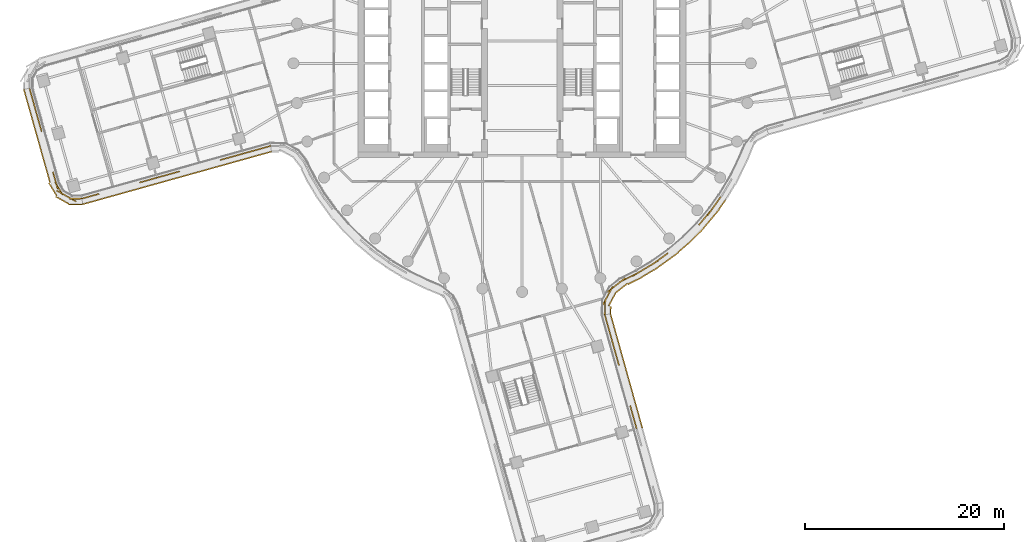
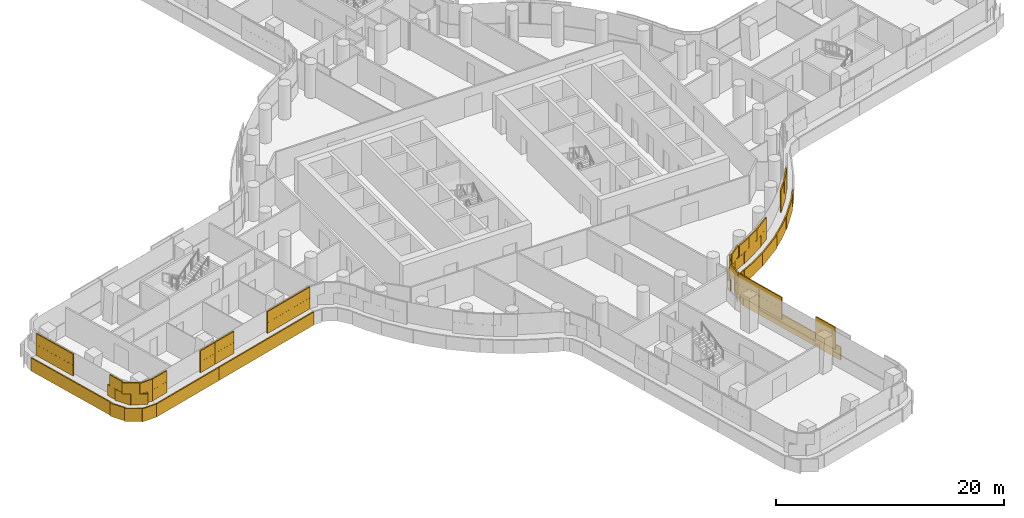
# One storey, part 25 of 30: 5 coverings.
"""IFC4 building model written with IfcOpenShell, lengths in metres."""

from ifc_helpers import new_model, si_unit, direction, frame, origin, origin_2d, place, context, subcontext, project, spatial, rectangle, extrude, material, layer, layer_set, type_object, element, save


model = new_model("IFC4")

# Units and contexts
model_context = context("Model", 3, precision=1e-05, world=origin(), true_north=direction((0.0, 1.0)))
body_context = subcontext(model_context, "Body", "Model", "MODEL_VIEW")
ifc_project = project(units=[si_unit("LENGTHUNIT", "METRE"), si_unit("AREAUNIT", "SQUARE_METRE"), si_unit("VOLUMEUNIT", "CUBIC_METRE"), si_unit("PLANEANGLEUNIT", "RADIAN"), si_unit("MASSUNIT", "GRAM", prefix="KILO")], contexts=[model_context])

# Site, building, storey
site_placement = place(None, origin())
site = spatial("IfcSite", under=ifc_project, at=site_placement, CompositionType="ELEMENT")
building_placement = place(site_placement, origin())
building = spatial("IfcBuilding", under=site, at=building_placement, Name="Tamarind Cross Interchange Tower", CompositionType="ELEMENT")
storey_placement = place(building_placement, frame((0.0, 0.0, 91.0)))
storey = spatial("IfcBuildingStorey", under=building, at=storey_placement, Name="L21", CompositionType="ELEMENT", Elevation=91.0)

# Coverings
ifc_material = material(Name="Terracotta", Category="masonry")
ifc_layer = layer(ifc_material, 0.1201171875)
ifc_layer_set = layer_set([ifc_layer], Name="Terracotta")
covering_type = type_object("IfcCoveringType", Name="Terracotta baguette screen unit", PredefinedType="MOLDING", material=ifc_layer_set)
covering_1_placement = place(storey_placement, origin())
element("IfcCovering", 1, at=covering_1_placement, inside=storey, type_object=covering_type, Name="SCR-L21-01-01", PredefinedType="MOLDING", context=body_context, shape_type="SweptSolid", body=[
    extrude(rectangle(XDim=0.447021484375, YDim=0.1201171875, at=origin_2d()), frame((11.454345703125, -36.54052734375, 1.404052734375), z_axis=(0.0, 0.0, 1.0), x_axis=(-0.26883067316, 0.963187452767, 0.0)), (0.0, 0.0, 1.0), 1.1669921875),
    extrude(rectangle(XDim=1.52001953125, YDim=0.1201171875, at=origin_2d()), frame((11.194091796875, -35.607666015625, 1.404052734375), z_axis=(0.0, 0.0, 1.0), x_axis=(-0.26883067316, 0.963187452767, 0.0)), (0.0, 0.0, 1.0), 1.1669921875),
    extrude(rectangle(XDim=0.47265625, YDim=0.1201171875, at=origin_2d()), frame((10.930419921875, -34.662353515625, 1.404052734375), z_axis=(0.0, 0.0, 1.0), x_axis=(-0.26883067316, 0.963187452767, 0.0)), (0.0, 0.0, 1.0), 1.1669921875),
    extrude(rectangle(XDim=1.347412109375, YDim=0.1201171875, at=origin_2d()), frame((9.559326171875, -29.750244140625, 1.404052734375), z_axis=(0.0, 0.0, 1.0), x_axis=(-0.26883067316, 0.963187452767, 0.0)), (0.0, 0.0, 1.0), 1.1669921875),
    extrude(rectangle(XDim=1.52001953125, YDim=0.1201171875, at=origin_2d()), frame((9.177978515625, -28.3837890625, 1.404052734375), z_axis=(0.0, 0.0, 1.0), x_axis=(-0.26883067316, 0.963187452767, 0.0)), (0.0, 0.0, 1.0), 1.1669921875),
    extrude(rectangle(XDim=1.52001953125, YDim=0.1201171875, at=origin_2d()), frame((8.774658203125, -26.93896484375, 1.404052734375), z_axis=(0.0, 0.0, 1.0), x_axis=(-0.26883067316, 0.963187452767, 0.0)), (0.0, 0.0, 1.0), 1.1669921875),
    extrude(rectangle(XDim=0.9814453125, YDim=0.1201171875, at=origin_2d()), frame((8.4423828125, -25.74853515625, 1.404052734375), z_axis=(0.0, 0.0, 1.0), x_axis=(-0.26883067316, 0.963187452767, 0.0)), (0.0, 0.0, 1.0), 1.1669921875),
    extrude(rectangle(XDim=1.197021484375, YDim=0.1201171875, at=origin_2d()), frame((11.353759765625, -36.17919921875, 2.5791015625), z_axis=(0.0, 0.0, 1.0), x_axis=(-0.26883067316, 0.963187452767, 0.0)), (0.0, 0.0, 1.0), 1.1669921875),
    extrude(rectangle(XDim=1.22265625, YDim=0.1201171875, at=origin_2d()), frame((11.031005859375, -35.023681640625, 2.5791015625), z_axis=(0.0, 0.0, 1.0), x_axis=(-0.26883067316, 0.963187452767, 0.0)), (0.0, 0.0, 1.0), 1.1669921875),
    extrude(rectangle(XDim=0.597412109375, YDim=0.1201171875, at=origin_2d()), frame((9.66015625, -30.111328125, 2.5791015625), z_axis=(0.0, 0.0, 1.0), x_axis=(-0.26883067316, 0.963187452767, 0.0)), (0.0, 0.0, 1.0), 1.1669921875),
    extrude(rectangle(XDim=1.52001953125, YDim=0.1201171875, at=origin_2d()), frame((9.37939453125, -29.10595703125, 2.5791015625), z_axis=(0.0, 0.0, 1.0), x_axis=(-0.26883067316, 0.963187452767, 0.0)), (0.0, 0.0, 1.0), 1.1669921875),
    extrude(rectangle(XDim=1.52001953125, YDim=0.1201171875, at=origin_2d()), frame((8.976318359375, -27.661376953125, 2.5791015625), z_axis=(0.0, 0.0, 1.0), x_axis=(-0.26883067316, 0.963187452767, 0.0)), (0.0, 0.0, 1.0), 1.1669921875),
    extrude(rectangle(XDim=1.52001953125, YDim=0.1201171875, at=origin_2d()), frame((8.572998046875, -26.216552734375, 2.5791015625), z_axis=(0.0, 0.0, 1.0), x_axis=(-0.26883067316, 0.963187452767, 0.0)), (0.0, 0.0, 1.0), 1.1669921875),
    extrude(rectangle(XDim=0.2314453125, YDim=0.1201171875, at=origin_2d()), frame((8.341552734375, -25.387451171875, 2.5791015625), z_axis=(0.0, 0.0, 1.0), x_axis=(-0.26883067316, 0.963187452767, 0.0)), (0.0, 0.0, 1.0), 1.1669921875),
    extrude(rectangle(XDim=0.45166015625, YDim=0.1201171875, at=origin_2d()), frame((12.02685546875, -36.4560546875, 0.00390625), z_axis=(0.0, 0.0, 1.0), x_axis=(-0.26883067316, 0.963187452767, 0.0)), (0.0, 0.0, 1.0), 1.39208984375),
    extrude(rectangle(XDim=1.52001953125, YDim=0.1201171875, at=origin_2d()), frame((11.76708984375, -35.525634765625, 0.00390625), z_axis=(0.0, 0.0, 1.0), x_axis=(-0.26883067316, 0.963187452767, 0.0)), (0.0, 0.0, 1.0), 1.39208984375),
    extrude(rectangle(XDim=1.52001953125, YDim=0.1201171875, at=origin_2d()), frame((11.364013671875, -34.080810546875, 0.00390625), z_axis=(0.0, 0.0, 1.0), x_axis=(-0.26883067316, 0.963187452767, 0.0)), (0.0, 0.0, 1.0), 1.39208984375),
    extrude(rectangle(XDim=1.52001953125, YDim=0.1201171875, at=origin_2d()), frame((10.960693359375, -32.63623046875, 0.00390625), z_axis=(0.0, 0.0, 1.0), x_axis=(-0.26883067316, 0.963187452767, 0.0)), (0.0, 0.0, 1.0), 1.39208984375),
    extrude(rectangle(XDim=1.52001953125, YDim=0.1201171875, at=origin_2d()), frame((10.557373046875, -31.19140625, 0.00390625), z_axis=(0.0, 0.0, 1.0), x_axis=(-0.26883067316, 0.963187452767, 0.0)), (0.0, 0.0, 1.0), 1.39208984375),
    extrude(rectangle(XDim=1.52001953125, YDim=0.1201171875, at=origin_2d()), frame((10.154296875, -29.74658203125, 0.00390625), z_axis=(0.0, 0.0, 1.0), x_axis=(-0.26883067316, 0.963187452767, 0.0)), (0.0, 0.0, 1.0), 1.39208984375),
    extrude(rectangle(XDim=1.52001953125, YDim=0.1201171875, at=origin_2d()), frame((9.7509765625, -28.3017578125, 0.00390625), z_axis=(0.0, 0.0, 1.0), x_axis=(-0.26883067316, 0.963187452767, 0.0)), (0.0, 0.0, 1.0), 1.39208984375),
    extrude(rectangle(XDim=1.52001953125, YDim=0.1201171875, at=origin_2d()), frame((9.34765625, -26.85693359375, 0.00390625), z_axis=(0.0, 0.0, 1.0), x_axis=(-0.26883067316, 0.963187452767, 0.0)), (0.0, 0.0, 1.0), 1.39208984375),
    extrude(rectangle(XDim=0.9697265625, YDim=0.1201171875, at=origin_2d()), frame((9.018310546875, -25.67724609375, 0.00390625), z_axis=(0.0, 0.0, 1.0), x_axis=(-0.26883067316, 0.963187452767, 0.0)), (0.0, 0.0, 1.0), 1.39208984375),
])
covering_2_placement = place(storey_placement, origin())
element("IfcCovering", 2, at=covering_2_placement, inside=storey, type_object=covering_type, Name="SCR-L21-02-00", PredefinedType="MOLDING", context=body_context, shape_type="SweptSolid", body=[
    extrude(rectangle(XDim=0.760009765625, YDim=0.1201171875, at=origin_2d()), frame((8.322509765625, -24.90576171875, 1.404052734375), z_axis=(0.0, 0.0, 1.0), x_axis=(0.028695501065, 0.999588199319, 0.0)), (0.0, 0.0, 1.0), 1.1669921875),
    extrude(rectangle(XDim=1.52001953125, YDim=0.1201171875, at=origin_2d()), frame((8.3828125, -23.788818359375, 1.404052734375), z_axis=(0.0, 0.0, 1.0), x_axis=(0.477648952184, 0.878550783095, 0.0)), (0.0, 0.0, 1.0), 1.1669921875),
    extrude(rectangle(XDim=1.52001953125, YDim=0.1201171875, at=origin_2d()), frame((9.175048828125, -22.53515625, 1.404052734375), z_axis=(0.0, 0.0, 1.0), x_axis=(0.786825557048, 0.617175455423, 0.0)), (0.0, 0.0, 1.0), 1.1669921875),
    extrude(rectangle(XDim=1.52001953125, YDim=0.1201171875, at=origin_2d()), frame((10.411865234375, -21.698974609375, 1.404052734375), z_axis=(0.0, 0.0, 1.0), x_axis=(0.896294206941, 0.443459913186, 0.0)), (0.0, 0.0, 1.0), 1.1669921875),
    extrude(rectangle(XDim=1.52001953125, YDim=0.1201171875, at=origin_2d()), frame((11.747314453125, -21.017578125, 1.404052734375), z_axis=(0.0, 0.0, 1.0), x_axis=(0.856843065292, 0.515577308909, 0.0)), (0.0, 0.0, 1.0), 1.1669921875),
    extrude(rectangle(XDim=1.52001953125, YDim=0.1201171875, at=origin_2d()), frame((13.03271484375, -20.244140625, 1.404052734375), z_axis=(0.0, 0.0, 1.0), x_axis=(0.856843065292, 0.515577308909, 0.0)), (0.0, 0.0, 1.0), 1.1669921875),
    extrude(rectangle(XDim=1.26220703125, YDim=0.1201171875, at=origin_2d()), frame((14.1611328125, -19.4580078125, 1.404052734375), z_axis=(0.0, 0.0, 1.0), x_axis=(0.811340475102, 0.584573890505, 0.0)), (0.0, 0.0, 1.0), 1.1669921875),
    extrude(rectangle(XDim=0.5576171875, YDim=0.1201171875, at=origin_2d()), frame((17.94384765625, -16.05419921875, 1.404052734375), z_axis=(0.0, 0.0, 1.0), x_axis=(0.643009266048, 0.765858396687, 0.0)), (0.0, 0.0, 1.0), 1.1669921875),
    extrude(rectangle(XDim=1.52001953125, YDim=0.1201171875, at=origin_2d()), frame((18.60205078125, -15.27001953125, 1.404052734375), z_axis=(0.0, 0.0, 1.0), x_axis=(0.643009266048, 0.765858396687, 0.0)), (0.0, 0.0, 1.0), 1.1669921875),
    extrude(rectangle(XDim=1.52001953125, YDim=0.1201171875, at=origin_2d()), frame((19.51611328125, -14.08251953125, 1.404052734375), z_axis=(0.0, 0.0, 1.0), x_axis=(0.577568978284, 0.816341886298, 0.0)), (0.0, 0.0, 1.0), 1.1669921875),
    extrude(rectangle(XDim=0.068603515625, YDim=0.1201171875, at=origin_2d()), frame((19.96630859375, -13.4462890625, 1.404052734375), z_axis=(0.0, 0.0, 1.0), x_axis=(0.577568978284, 0.816341886298, 0.0)), (0.0, 0.0, 1.0), 1.1669921875),
    extrude(rectangle(XDim=1.510009765625, YDim=0.1201171875, at=origin_2d()), frame((8.333251953125, -24.531005859375, 2.5791015625), z_axis=(0.0, 0.0, 1.0), x_axis=(0.028695501065, 0.999588199319, 0.0)), (0.0, 0.0, 1.0), 1.1669921875),
    extrude(rectangle(XDim=1.52001953125, YDim=0.1201171875, at=origin_2d()), frame((8.740966796875, -23.1298828125, 2.5791015625), z_axis=(0.0, 0.0, 1.0), x_axis=(0.477648952184, 0.878550783095, 0.0)), (0.0, 0.0, 1.0), 1.1669921875),
    extrude(rectangle(XDim=1.52001953125, YDim=0.1201171875, at=origin_2d()), frame((9.76513671875, -22.072265625, 2.5791015625), z_axis=(0.0, 0.0, 1.0), x_axis=(0.786825557048, 0.617175455423, 0.0)), (0.0, 0.0, 1.0), 1.1669921875),
    extrude(rectangle(XDim=1.52001953125, YDim=0.1201171875, at=origin_2d()), frame((11.083984375, -21.366455078125, 2.5791015625), z_axis=(0.0, 0.0, 1.0), x_axis=(0.896294206941, 0.443459913186, 0.0)), (0.0, 0.0, 1.0), 1.1669921875),
    extrude(rectangle(XDim=1.52001953125, YDim=0.1201171875, at=origin_2d()), frame((12.389892578125, -20.630859375, 2.5791015625), z_axis=(0.0, 0.0, 1.0), x_axis=(0.856843065292, 0.515577308909, 0.0)), (0.0, 0.0, 1.0), 1.1669921875),
    extrude(rectangle(XDim=1.52001953125, YDim=0.1201171875, at=origin_2d()), frame((13.6533203125, -19.82421875, 2.5791015625), z_axis=(0.0, 0.0, 1.0), x_axis=(0.811340475102, 0.584573890505, 0.0)), (0.0, 0.0, 1.0), 1.1669921875),
    extrude(rectangle(XDim=0.51220703125, YDim=0.1201171875, at=origin_2d()), frame((14.465576171875, -19.239013671875, 2.5791015625), z_axis=(0.0, 0.0, 1.0), x_axis=(0.811340475102, 0.584573890505, 0.0)), (0.0, 0.0, 1.0), 1.1669921875),
    extrude(rectangle(XDim=1.3076171875, YDim=0.1201171875, at=origin_2d()), frame((18.18505859375, -15.76708984375, 2.5791015625), z_axis=(0.0, 0.0, 1.0), x_axis=(0.643009266048, 0.765858396687, 0.0)), (0.0, 0.0, 1.0), 1.1669921875),
    extrude(rectangle(XDim=1.52001953125, YDim=0.1201171875, at=origin_2d()), frame((19.0830078125, -14.694580078125, 2.5791015625), z_axis=(0.0, 0.0, 1.0), x_axis=(0.577568978284, 0.816341886298, 0.0)), (0.0, 0.0, 1.0), 1.1669921875),
    extrude(rectangle(XDim=0.818603515625, YDim=0.1201171875, at=origin_2d()), frame((19.749755859375, -13.75244140625, 2.5791015625), z_axis=(0.0, 0.0, 1.0), x_axis=(0.577568978284, 0.816341886298, 0.0)), (0.0, 0.0, 1.0), 1.1669921875),
    extrude(rectangle(XDim=0.760009765625, YDim=0.1201171875, at=origin_2d()), frame((8.89892578125, -24.830322265625, 0.00390625), z_axis=(0.0, 0.0, 1.0), x_axis=(0.028695501065, 0.999588199319, 0.0)), (0.0, 0.0, 1.0), 1.39208984375),
    extrude(rectangle(XDim=1.52001953125, YDim=0.1201171875, at=origin_2d()), frame((9.0595703125, -23.74560546875, 0.00390625), z_axis=(0.0, 0.0, 1.0), x_axis=(0.477648952184, 0.878550783095, 0.0)), (0.0, 0.0, 1.0), 1.39208984375),
    extrude(rectangle(XDim=1.52001953125, YDim=0.1201171875, at=origin_2d()), frame((10.00048828125, -22.6171875, 0.00390625), z_axis=(0.0, 0.0, 1.0), x_axis=(0.786825557048, 0.617175455423, 0.0)), (0.0, 0.0, 1.0), 1.39208984375),
    extrude(rectangle(XDim=1.52001953125, YDim=0.1201171875, at=origin_2d()), frame((11.30908203125, -21.8955078125, 0.00390625), z_axis=(0.0, 0.0, 1.0), x_axis=(0.896294206941, 0.443459913186, 0.0)), (0.0, 0.0, 1.0), 1.39208984375),
    extrude(rectangle(XDim=1.52001953125, YDim=0.1201171875, at=origin_2d()), frame((12.617431640625, -21.1640625, 0.00390625), z_axis=(0.0, 0.0, 1.0), x_axis=(0.856843065292, 0.515577308909, 0.0)), (0.0, 0.0, 1.0), 1.39208984375),
    extrude(rectangle(XDim=1.52001953125, YDim=0.1201171875, at=origin_2d()), frame((13.88525390625, -20.364501953125, 0.00390625), z_axis=(0.0, 0.0, 1.0), x_axis=(0.811340475102, 0.584573890505, 0.0)), (0.0, 0.0, 1.0), 1.39208984375),
    extrude(rectangle(XDim=1.52001953125, YDim=0.1201171875, at=origin_2d()), frame((15.102294921875, -19.487548828125, 0.00390625), z_axis=(0.0, 0.0, 1.0), x_axis=(0.811340475102, 0.584573890505, 0.0)), (0.0, 0.0, 1.0), 1.39208984375),
    extrude(rectangle(XDim=1.52001953125, YDim=0.1201171875, at=origin_2d()), frame((16.250732421875, -18.5234375, 0.00390625), z_axis=(0.0, 0.0, 1.0), x_axis=(0.760295606781, 0.64957723968, 0.0)), (0.0, 0.0, 1.0), 1.39208984375),
    extrude(rectangle(XDim=1.52001953125, YDim=0.1201171875, at=origin_2d()), frame((17.345947265625, -17.50048828125, 0.00390625), z_axis=(0.0, 0.0, 1.0), x_axis=(0.704057148523, 0.710143317658, 0.0)), (0.0, 0.0, 1.0), 1.39208984375),
    extrude(rectangle(XDim=1.52001953125, YDim=0.1201171875, at=origin_2d()), frame((18.385986328125, -16.42041015625, 0.00390625), z_axis=(0.0, 0.0, 1.0), x_axis=(0.643009266048, 0.765858396687, 0.0)), (0.0, 0.0, 1.0), 1.39208984375),
    extrude(rectangle(XDim=1.52001953125, YDim=0.1201171875, at=origin_2d()), frame((19.350341796875, -15.271484375, 0.00390625), z_axis=(0.0, 0.0, 1.0), x_axis=(0.643009266048, 0.765858396687, 0.0)), (0.0, 0.0, 1.0), 1.39208984375),
    extrude(rectangle(XDim=1.14990234375, YDim=0.1201171875, at=origin_2d()), frame((20.127685546875, -14.2119140625, 0.00390625), z_axis=(0.0, 0.0, 1.0), x_axis=(0.577568978284, 0.816341886298, 0.0)), (0.0, 0.0, 1.0), 1.39208984375),
])
covering_3_placement = place(storey_placement, origin())
element("IfcCovering", 3, at=covering_3_placement, inside=storey, type_object=covering_type, Name="SCR-L21-12-00", PredefinedType="MOLDING", context=body_context, shape_type="SweptSolid", body=[
    extrude(rectangle(XDim=0.760009765625, YDim=0.1201171875, at=origin_2d()), frame((-49.44482421875, -2.884033203125, 1.404052734375), z_axis=(0.0, 0.0, 1.0), x_axis=(0.270129953744, -0.962823871791, 0.0)), (0.0, 0.0, 1.0), 1.1669921875),
    extrude(rectangle(XDim=1.52001953125, YDim=0.1201171875, at=origin_2d()), frame((-49.140869140625, -3.96728515625, 1.404052734375), z_axis=(0.0, 0.0, 1.0), x_axis=(0.270129953744, -0.962823871791, 0.0)), (0.0, 0.0, 1.0), 1.1669921875),
    extrude(rectangle(XDim=1.52001953125, YDim=0.1201171875, at=origin_2d()), frame((-48.73583984375, -5.411376953125, 1.404052734375), z_axis=(0.0, 0.0, 1.0), x_axis=(0.270129953744, -0.962823871791, 0.0)), (0.0, 0.0, 1.0), 1.1669921875),
    extrude(rectangle(XDim=0.784912109375, YDim=0.1201171875, at=origin_2d()), frame((-48.428466796875, -6.506591796875, 1.404052734375), z_axis=(0.0, 0.0, 1.0), x_axis=(0.270129953744, -0.962823871791, 0.0)), (0.0, 0.0, 1.0), 1.1669921875),
    extrude(rectangle(XDim=1.03515625, YDim=0.1201171875, at=origin_2d()), frame((-47.05078125, -11.4169921875, 1.404052734375), z_axis=(0.0, 0.0, 1.0), x_axis=(0.270129953744, -0.962823871791, 0.0)), (0.0, 0.0, 1.0), 1.1669921875),
    extrude(rectangle(XDim=1.52001953125, YDim=0.1201171875, at=origin_2d()), frame((-46.595458984375, -12.583740234375, 1.404052734375), z_axis=(0.0, 0.0, 1.0), x_axis=(0.510122653874, -0.860101667249, 0.0)), (0.0, 0.0, 1.0), 1.1669921875),
    extrude(rectangle(XDim=1.52001953125, YDim=0.1201171875, at=origin_2d()), frame((-45.5029296875, -13.538818359375, 1.404052734375), z_axis=(0.0, 0.0, 1.0), x_axis=(0.871830010925, -0.489808566738, 0.0)), (0.0, 0.0, 1.0), 1.1669921875),
    extrude(rectangle(XDim=0.509521484375, YDim=0.1201171875, at=origin_2d()), frame((-44.526123046875, -13.616455078125, 1.404052734375), z_axis=(0.0, 0.0, 1.0), x_axis=(0.999931220612, 0.011728343677, 0.0)), (0.0, 0.0, 1.0), 1.1669921875),
    extrude(rectangle(XDim=1.510009765625, YDim=0.1201171875, at=origin_2d()), frame((-49.343505859375, -3.2451171875, 2.5791015625), z_axis=(0.0, 0.0, 1.0), x_axis=(0.270129953744, -0.962823871791, 0.0)), (0.0, 0.0, 1.0), 1.1669921875),
    extrude(rectangle(XDim=1.52001953125, YDim=0.1201171875, at=origin_2d()), frame((-48.9384765625, -4.689453125, 2.5791015625), z_axis=(0.0, 0.0, 1.0), x_axis=(0.270129953744, -0.962823871791, 0.0)), (0.0, 0.0, 1.0), 1.1669921875),
    extrude(rectangle(XDim=1.52001953125, YDim=0.1201171875, at=origin_2d()), frame((-48.533203125, -6.133544921875, 2.5791015625), z_axis=(0.0, 0.0, 1.0), x_axis=(0.270129953744, -0.962823871791, 0.0)), (0.0, 0.0, 1.0), 1.1669921875),
    extrude(rectangle(XDim=1.52001953125, YDim=0.1201171875, at=origin_2d()), frame((-46.912353515625, -11.91064453125, 2.5791015625), z_axis=(0.0, 0.0, 1.0), x_axis=(0.270129953744, -0.962823871791, 0.0)), (0.0, 0.0, 1.0), 1.1669921875),
    extrude(rectangle(XDim=1.52001953125, YDim=0.1201171875, at=origin_2d()), frame((-46.15673828125, -13.17138671875, 2.5791015625), z_axis=(0.0, 0.0, 1.0), x_axis=(0.871830010925, -0.489808566738, 0.0)), (0.0, 0.0, 1.0), 1.1669921875),
    extrude(rectangle(XDim=1.259521484375, YDim=0.1201171875, at=origin_2d()), frame((-44.901123046875, -13.620849609375, 2.5791015625), z_axis=(0.0, 0.0, 1.0), x_axis=(0.999931220612, 0.011728343677, 0.0)), (0.0, 0.0, 1.0), 1.1669921875),
    extrude(rectangle(XDim=0.760009765625, YDim=0.1201171875, at=origin_2d()), frame((-50.0166015625, -2.97119140625, 0.00390625), z_axis=(0.0, 0.0, 1.0), x_axis=(0.270129953744, -0.962823871791, 0.0)), (0.0, 0.0, 1.0), 1.39208984375),
    extrude(rectangle(XDim=1.52001953125, YDim=0.1201171875, at=origin_2d()), frame((-49.714111328125, -4.049560546875, 0.00390625), z_axis=(0.0, 0.0, 1.0), x_axis=(0.270129953744, -0.962823871791, 0.0)), (0.0, 0.0, 1.0), 1.39208984375),
    extrude(rectangle(XDim=1.52001953125, YDim=0.1201171875, at=origin_2d()), frame((-49.308837890625, -5.49365234375, 0.00390625), z_axis=(0.0, 0.0, 1.0), x_axis=(0.270129953744, -0.962823871791, 0.0)), (0.0, 0.0, 1.0), 1.39208984375),
    extrude(rectangle(XDim=1.52001953125, YDim=0.1201171875, at=origin_2d()), frame((-48.903564453125, -6.93798828125, 0.00390625), z_axis=(0.0, 0.0, 1.0), x_axis=(0.270129953744, -0.962823871791, 0.0)), (0.0, 0.0, 1.0), 1.39208984375),
    extrude(rectangle(XDim=1.52001953125, YDim=0.1201171875, at=origin_2d()), frame((-48.49853515625, -8.38232421875, 0.00390625), z_axis=(0.0, 0.0, 1.0), x_axis=(0.270129953744, -0.962823871791, 0.0)), (0.0, 0.0, 1.0), 1.39208984375),
    extrude(rectangle(XDim=1.52001953125, YDim=0.1201171875, at=origin_2d()), frame((-48.09326171875, -9.826416015625, 0.00390625), z_axis=(0.0, 0.0, 1.0), x_axis=(0.270129953744, -0.962823871791, 0.0)), (0.0, 0.0, 1.0), 1.39208984375),
    extrude(rectangle(XDim=1.52001953125, YDim=0.1201171875, at=origin_2d()), frame((-47.68798828125, -11.270751953125, 0.00390625), z_axis=(0.0, 0.0, 1.0), x_axis=(0.270129953744, -0.962823871791, 0.0)), (0.0, 0.0, 1.0), 1.39208984375),
    extrude(rectangle(XDim=1.52001953125, YDim=0.1201171875, at=origin_2d()), frame((-47.204833984375, -12.681640625, 0.00390625), z_axis=(0.0, 0.0, 1.0), x_axis=(0.510122653874, -0.860101667249, 0.0)), (0.0, 0.0, 1.0), 1.39208984375),
    extrude(rectangle(XDim=1.52001953125, YDim=0.1201171875, at=origin_2d()), frame((-46.25, -13.77734375, 0.00390625), z_axis=(0.0, 0.0, 1.0), x_axis=(0.871830010925, -0.489808566738, 0.0)), (0.0, 0.0, 1.0), 1.39208984375),
    extrude(rectangle(XDim=1.4267578125, YDim=0.1201171875, at=origin_2d()), frame((-44.90771484375, -14.195068359375, 0.00390625), z_axis=(0.0, 0.0, 1.0), x_axis=(0.999931220612, 0.011728343677, 0.0)), (0.0, 0.0, 1.0), 1.39208984375),
])
covering_4_placement = place(storey_placement, origin())
element("IfcCovering", 4, at=covering_4_placement, inside=storey, type_object=covering_type, Name="SCR-L21-13-00", PredefinedType="MOLDING", context=body_context, shape_type="SweptSolid", body=[
    extrude(rectangle(XDim=0.760009765625, YDim=0.1201171875, at=origin_2d()), frame((-43.9150390625, -13.5126953125, 1.404052734375), z_axis=(0.0, 0.0, 1.0), x_axis=(0.963187452767, 0.26883067316, 0.0)), (0.0, 0.0, 1.0), 1.1669921875),
    extrude(rectangle(XDim=1.06640625, YDim=0.1201171875, at=origin_2d()), frame((-43.045166015625, -13.27001953125, 1.404052734375), z_axis=(0.0, 0.0, 1.0), x_axis=(0.963187452767, 0.26883067316, 0.0)), (0.0, 0.0, 1.0), 1.1669921875),
    extrude(rectangle(XDim=0.75341796875, YDim=0.1201171875, at=origin_2d()), frame((-38.1328125, -11.89892578125, 1.404052734375), z_axis=(0.0, 0.0, 1.0), x_axis=(0.963187452767, 0.26883067316, 0.0)), (0.0, 0.0, 1.0), 1.1669921875),
    extrude(rectangle(XDim=1.072998046875, YDim=0.1201171875, at=origin_2d()), frame((-37.262939453125, -11.656005859375, 1.404052734375), z_axis=(0.0, 0.0, 1.0), x_axis=(0.963187452767, 0.26883067316, 0.0)), (0.0, 0.0, 1.0), 1.1669921875),
    extrude(rectangle(XDim=1.510009765625, YDim=0.1201171875, at=origin_2d()), frame((-43.553955078125, -13.411865234375, 2.5791015625), z_axis=(0.0, 0.0, 1.0), x_axis=(0.963187452767, 0.26883067316, 0.0)), (0.0, 0.0, 1.0), 1.1669921875),
    extrude(rectangle(XDim=0.31640625, YDim=0.1201171875, at=origin_2d()), frame((-42.683837890625, -13.169189453125, 2.5791015625), z_axis=(0.0, 0.0, 1.0), x_axis=(0.963187452767, 0.26883067316, 0.0)), (0.0, 0.0, 1.0), 1.1669921875),
    extrude(rectangle(XDim=1.50341796875, YDim=0.1201171875, at=origin_2d()), frame((-37.771728515625, -11.798095703125, 2.5791015625), z_axis=(0.0, 0.0, 1.0), x_axis=(0.963187452767, 0.26883067316, 0.0)), (0.0, 0.0, 1.0), 1.1669921875),
    extrude(rectangle(XDim=0.322998046875, YDim=0.1201171875, at=origin_2d()), frame((-36.901611328125, -11.55517578125, 2.5791015625), z_axis=(0.0, 0.0, 1.0), x_axis=(0.963187452767, 0.26883067316, 0.0)), (0.0, 0.0, 1.0), 1.1669921875),
    extrude(rectangle(XDim=0.760009765625, YDim=0.1201171875, at=origin_2d()), frame((-43.828369140625, -14.08447265625, 0.00390625), z_axis=(0.0, 0.0, 1.0), x_axis=(0.963187452767, 0.26883067316, 0.0)), (0.0, 0.0, 1.0), 1.39208984375),
    extrude(rectangle(XDim=1.52001953125, YDim=0.1201171875, at=origin_2d()), frame((-42.74951171875, -13.783447265625, 0.00390625), z_axis=(0.0, 0.0, 1.0), x_axis=(0.963187452767, 0.26883067316, 0.0)), (0.0, 0.0, 1.0), 1.39208984375),
    extrude(rectangle(XDim=1.52001953125, YDim=0.1201171875, at=origin_2d()), frame((-41.304931640625, -13.380126953125, 0.00390625), z_axis=(0.0, 0.0, 1.0), x_axis=(0.963187452767, 0.26883067316, 0.0)), (0.0, 0.0, 1.0), 1.39208984375),
    extrude(rectangle(XDim=1.52001953125, YDim=0.1201171875, at=origin_2d()), frame((-39.860107421875, -12.976806640625, 0.00390625), z_axis=(0.0, 0.0, 1.0), x_axis=(0.963187452767, 0.26883067316, 0.0)), (0.0, 0.0, 1.0), 1.39208984375),
    extrude(rectangle(XDim=1.52001953125, YDim=0.1201171875, at=origin_2d()), frame((-38.415283203125, -12.57373046875, 0.00390625), z_axis=(0.0, 0.0, 1.0), x_axis=(0.963187452767, 0.26883067316, 0.0)), (0.0, 0.0, 1.0), 1.39208984375),
    extrude(rectangle(XDim=1.068359375, YDim=0.1201171875, at=origin_2d()), frame((-37.18798828125, -12.231201171875, 0.00390625), z_axis=(0.0, 0.0, 1.0), x_axis=(0.963187452767, 0.26883067316, 0.0)), (0.0, 0.0, 1.0), 1.39208984375),
])
covering_5_placement = place(storey_placement, origin())
element("IfcCovering", 5, at=covering_5_placement, inside=storey, type_object=covering_type, Name="SCR-L21-13-01", PredefinedType="MOLDING", context=body_context, shape_type="SweptSolid", body=[
    extrude(rectangle(XDim=0.447021484375, YDim=0.1201171875, at=origin_2d()), frame((-36.54052734375, -11.454345703125, 1.404052734375), z_axis=(0.0, 0.0, 1.0), x_axis=(0.963187452767, 0.26883067316, 0.0)), (0.0, 0.0, 1.0), 1.1669921875),
    extrude(rectangle(XDim=1.52001953125, YDim=0.1201171875, at=origin_2d()), frame((-35.607666015625, -11.194091796875, 1.404052734375), z_axis=(0.0, 0.0, 1.0), x_axis=(0.963187452767, 0.26883067316, 0.0)), (0.0, 0.0, 1.0), 1.1669921875),
    extrude(rectangle(XDim=0.47265625, YDim=0.1201171875, at=origin_2d()), frame((-34.662353515625, -10.930419921875, 1.404052734375), z_axis=(0.0, 0.0, 1.0), x_axis=(0.963187452767, 0.26883067316, 0.0)), (0.0, 0.0, 1.0), 1.1669921875),
    extrude(rectangle(XDim=1.347412109375, YDim=0.1201171875, at=origin_2d()), frame((-29.750244140625, -9.559326171875, 1.404052734375), z_axis=(0.0, 0.0, 1.0), x_axis=(0.963187452767, 0.26883067316, 0.0)), (0.0, 0.0, 1.0), 1.1669921875),
    extrude(rectangle(XDim=1.52001953125, YDim=0.1201171875, at=origin_2d()), frame((-28.3837890625, -9.177978515625, 1.404052734375), z_axis=(0.0, 0.0, 1.0), x_axis=(0.963187452767, 0.26883067316, 0.0)), (0.0, 0.0, 1.0), 1.1669921875),
    extrude(rectangle(XDim=1.52001953125, YDim=0.1201171875, at=origin_2d()), frame((-26.93896484375, -8.774658203125, 1.404052734375), z_axis=(0.0, 0.0, 1.0), x_axis=(0.963187452767, 0.26883067316, 0.0)), (0.0, 0.0, 1.0), 1.1669921875),
    extrude(rectangle(XDim=0.9814453125, YDim=0.1201171875, at=origin_2d()), frame((-25.74853515625, -8.4423828125, 1.404052734375), z_axis=(0.0, 0.0, 1.0), x_axis=(0.963187452767, 0.26883067316, 0.0)), (0.0, 0.0, 1.0), 1.1669921875),
    extrude(rectangle(XDim=1.197021484375, YDim=0.1201171875, at=origin_2d()), frame((-36.17919921875, -11.353759765625, 2.5791015625), z_axis=(0.0, 0.0, 1.0), x_axis=(0.963187452767, 0.26883067316, 0.0)), (0.0, 0.0, 1.0), 1.1669921875),
    extrude(rectangle(XDim=1.22265625, YDim=0.1201171875, at=origin_2d()), frame((-35.023681640625, -11.031005859375, 2.5791015625), z_axis=(0.0, 0.0, 1.0), x_axis=(0.963187452767, 0.26883067316, 0.0)), (0.0, 0.0, 1.0), 1.1669921875),
    extrude(rectangle(XDim=0.597412109375, YDim=0.1201171875, at=origin_2d()), frame((-30.111328125, -9.66015625, 2.5791015625), z_axis=(0.0, 0.0, 1.0), x_axis=(0.963187452767, 0.26883067316, 0.0)), (0.0, 0.0, 1.0), 1.1669921875),
    extrude(rectangle(XDim=1.52001953125, YDim=0.1201171875, at=origin_2d()), frame((-29.10595703125, -9.37939453125, 2.5791015625), z_axis=(0.0, 0.0, 1.0), x_axis=(0.963187452767, 0.26883067316, 0.0)), (0.0, 0.0, 1.0), 1.1669921875),
    extrude(rectangle(XDim=1.52001953125, YDim=0.1201171875, at=origin_2d()), frame((-27.661376953125, -8.976318359375, 2.5791015625), z_axis=(0.0, 0.0, 1.0), x_axis=(0.963187452767, 0.26883067316, 0.0)), (0.0, 0.0, 1.0), 1.1669921875),
    extrude(rectangle(XDim=1.52001953125, YDim=0.1201171875, at=origin_2d()), frame((-26.216552734375, -8.572998046875, 2.5791015625), z_axis=(0.0, 0.0, 1.0), x_axis=(0.963187452767, 0.26883067316, 0.0)), (0.0, 0.0, 1.0), 1.1669921875),
    extrude(rectangle(XDim=0.2314453125, YDim=0.1201171875, at=origin_2d()), frame((-25.387451171875, -8.341552734375, 2.5791015625), z_axis=(0.0, 0.0, 1.0), x_axis=(0.963187452767, 0.26883067316, 0.0)), (0.0, 0.0, 1.0), 1.1669921875),
    extrude(rectangle(XDim=0.45166015625, YDim=0.1201171875, at=origin_2d()), frame((-36.4560546875, -12.02685546875, 0.00390625), z_axis=(0.0, 0.0, 1.0), x_axis=(0.963187452767, 0.26883067316, 0.0)), (0.0, 0.0, 1.0), 1.39208984375),
    extrude(rectangle(XDim=1.52001953125, YDim=0.1201171875, at=origin_2d()), frame((-35.525634765625, -11.76708984375, 0.00390625), z_axis=(0.0, 0.0, 1.0), x_axis=(0.963187452767, 0.26883067316, 0.0)), (0.0, 0.0, 1.0), 1.39208984375),
    extrude(rectangle(XDim=1.52001953125, YDim=0.1201171875, at=origin_2d()), frame((-34.080810546875, -11.364013671875, 0.00390625), z_axis=(0.0, 0.0, 1.0), x_axis=(0.963187452767, 0.26883067316, 0.0)), (0.0, 0.0, 1.0), 1.39208984375),
    extrude(rectangle(XDim=1.52001953125, YDim=0.1201171875, at=origin_2d()), frame((-32.63623046875, -10.960693359375, 0.00390625), z_axis=(0.0, 0.0, 1.0), x_axis=(0.963187452767, 0.26883067316, 0.0)), (0.0, 0.0, 1.0), 1.39208984375),
    extrude(rectangle(XDim=1.52001953125, YDim=0.1201171875, at=origin_2d()), frame((-31.19140625, -10.557373046875, 0.00390625), z_axis=(0.0, 0.0, 1.0), x_axis=(0.963187452767, 0.26883067316, 0.0)), (0.0, 0.0, 1.0), 1.39208984375),
    extrude(rectangle(XDim=1.52001953125, YDim=0.1201171875, at=origin_2d()), frame((-29.74658203125, -10.154296875, 0.00390625), z_axis=(0.0, 0.0, 1.0), x_axis=(0.963187452767, 0.26883067316, 0.0)), (0.0, 0.0, 1.0), 1.39208984375),
    extrude(rectangle(XDim=1.52001953125, YDim=0.1201171875, at=origin_2d()), frame((-28.3017578125, -9.7509765625, 0.00390625), z_axis=(0.0, 0.0, 1.0), x_axis=(0.963187452767, 0.26883067316, 0.0)), (0.0, 0.0, 1.0), 1.39208984375),
    extrude(rectangle(XDim=1.52001953125, YDim=0.1201171875, at=origin_2d()), frame((-26.85693359375, -9.34765625, 0.00390625), z_axis=(0.0, 0.0, 1.0), x_axis=(0.963187452767, 0.26883067316, 0.0)), (0.0, 0.0, 1.0), 1.39208984375),
    extrude(rectangle(XDim=0.9697265625, YDim=0.1201171875, at=origin_2d()), frame((-25.67724609375, -9.018310546875, 0.00390625), z_axis=(0.0, 0.0, 1.0), x_axis=(0.963187452767, 0.26883067316, 0.0)), (0.0, 0.0, 1.0), 1.39208984375),
])

save(model, "model.ifc")
